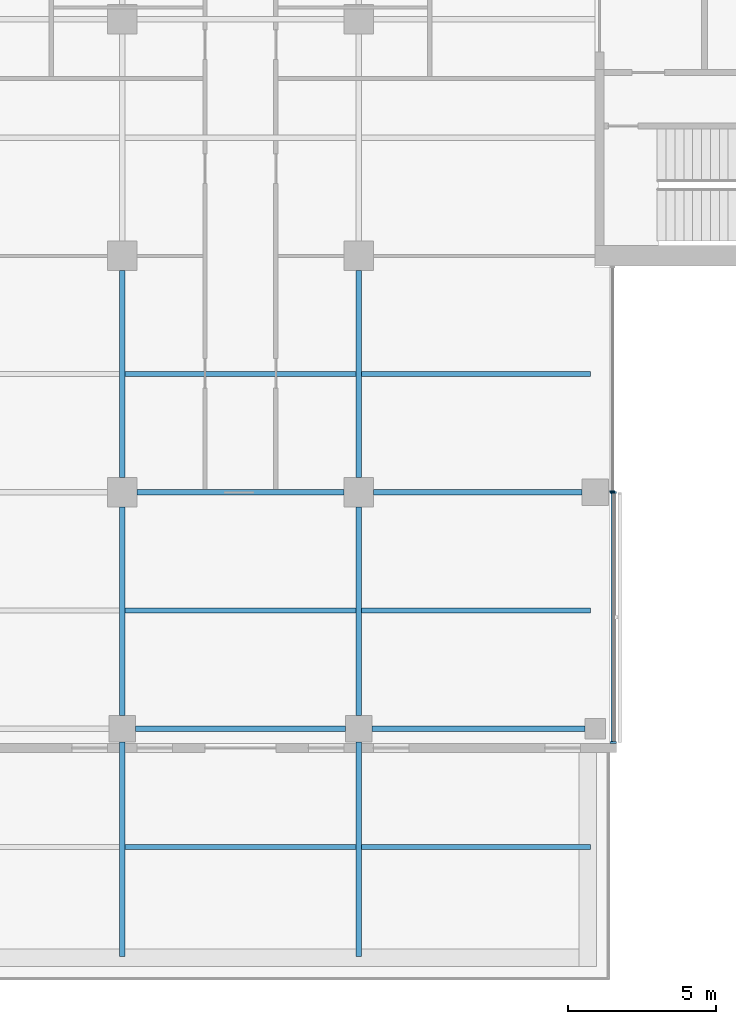
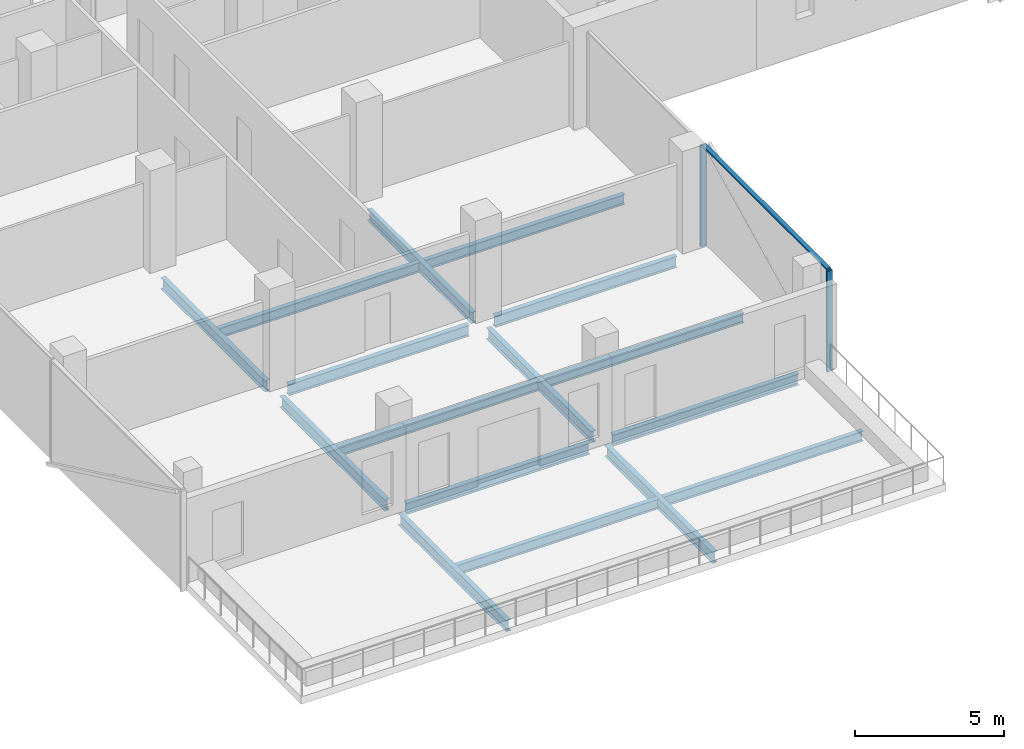
# One storey, part 5 of 24: 16 beams, 4 members, 2 elements without a shape of their own.
"""IFC4 building model written with IfcOpenShell, lengths in metres."""

from ifc_helpers import new_model, si_unit, direction, frame, origin, origin_2d, place, context, subcontext, project, spatial, rectangle, i_section, extrude, material, material_profile, profile_set, type_object, element, aggregate, save


model = new_model("IFC4")

# Units and contexts
model_context = context("Model", 3, precision=1e-05, world=origin(), true_north=direction((0.0, 1.0)))
body_context = subcontext(model_context, "Body", "Model", "MODEL_VIEW")
ifc_project = project(units=[si_unit("LENGTHUNIT", "METRE"), si_unit("AREAUNIT", "SQUARE_METRE"), si_unit("VOLUMEUNIT", "CUBIC_METRE"), si_unit("PLANEANGLEUNIT", "RADIAN"), si_unit("MASSUNIT", "GRAM", prefix="KILO")], contexts=[model_context])

# Site, building, storey
site_placement = place(None, origin())
site = spatial("IfcSite", under=ifc_project, at=site_placement, CompositionType="ELEMENT")
building_placement = place(site_placement, origin())
building = spatial("IfcBuilding", under=site, at=building_placement, Name="Crosswind Convention Tower", CompositionType="ELEMENT")
storey_placement = place(building_placement, frame((0.0, 0.0, 112.699951171875)))
storey = spatial("IfcBuildingStorey", under=building, at=storey_placement, Name="L22", CompositionType="ELEMENT", Elevation=112.699951171875)

# Beams
ifc_material_1 = material(Name="Steel S355", Category="steel")
ifc_material_profile_1 = material_profile(ifc_material_1, i_section(OverallWidth=0.19140625, OverallDepth=0.460205078125, WebThickness=0.010009765625, FlangeThickness=0.01611328125, FilletRadius=0.01025390625, at=origin_2d()), Name="UB 457x191x82")
ifc_profile_set_1 = profile_set([ifc_material_profile_1], Name="Steel S355")
beam_type_1 = type_object("IfcBeamType", Name="Girder UB 457x191x82", PredefinedType="BEAM", material=ifc_profile_set_1)
beam_1_placement = place(storey_placement, frame((121.0, 64.300048828125, -0.530029296875), z_axis=(0.0, 1.0, 0.0), x_axis=(-1.0, 0.0, 0.0)))
element("IfcBeam", 1, at=beam_1_placement, inside=storey, type_object=beam_type_1, Name="B3 L22 girder 5", PredefinedType="BEAM", context=body_context, shape_type="SweptSolid", body=[
    extrude(i_section(OverallWidth=0.19140625, OverallDepth=0.460205078125, WebThickness=0.010009765625, FlangeThickness=0.01611328125, FilletRadius=0.01025390625, at=origin_2d()), origin(), (0.0, 0.0, 1.0), 7.25),
])
beam_2_placement = place(storey_placement, frame((121.0, 72.449951171875, -0.530029296875), z_axis=(0.0, 1.0, 0.0), x_axis=(-1.0, 0.0, 0.0)))
element("IfcBeam", 2, at=beam_2_placement, inside=storey, type_object=beam_type_1, Name="B3 L22 girder 6", PredefinedType="BEAM", context=body_context, shape_type="SweptSolid", body=[
    extrude(i_section(OverallWidth=0.19140625, OverallDepth=0.460205078125, WebThickness=0.010009765625, FlangeThickness=0.01611328125, FilletRadius=0.01025390625, at=origin_2d()), origin(), (0.0, 0.0, 1.0), 7.050048828125),
])
beam_3_placement = place(storey_placement, frame((121.0, 80.5, -0.530029296875), z_axis=(0.0, 1.0, 0.0), x_axis=(-1.0, 0.0, 0.0)))
element("IfcBeam", 3, at=beam_3_placement, inside=storey, type_object=beam_type_1, Name="B3 L22 girder 7", PredefinedType="BEAM", context=body_context, shape_type="SweptSolid", body=[
    extrude(i_section(OverallWidth=0.19140625, OverallDepth=0.460205078125, WebThickness=0.010009765625, FlangeThickness=0.01611328125, FilletRadius=0.01025390625, at=origin_2d()), origin(), (0.0, 0.0, 1.0), 7.0),
])
beam_4_placement = place(storey_placement, frame((121.449951171875, 72.0, -0.530029296875), z_axis=(1.0, 0.0, 0.0), x_axis=(0.0, 1.0, 0.0)))
element("IfcBeam", 4, at=beam_4_placement, inside=storey, type_object=beam_type_1, Name="B3 L22 girder 14", PredefinedType="BEAM", context=body_context, shape_type="SweptSolid", body=[
    extrude(i_section(OverallWidth=0.19140625, OverallDepth=0.460205078125, WebThickness=0.010009765625, FlangeThickness=0.01611328125, FilletRadius=0.01025390625, at=origin_2d()), origin(), (0.0, 0.0, 1.0), 7.10009765625),
])
beam_5_placement = place(storey_placement, frame((121.5, 80.0, -0.530029296875), z_axis=(1.0, 0.0, 0.0), x_axis=(0.0, 1.0, 0.0)))
element("IfcBeam", 5, at=beam_5_placement, inside=storey, type_object=beam_type_1, Name="B3 L22 girder 16", PredefinedType="BEAM", context=body_context, shape_type="SweptSolid", body=[
    extrude(i_section(OverallWidth=0.19140625, OverallDepth=0.460205078125, WebThickness=0.010009765625, FlangeThickness=0.01611328125, FilletRadius=0.01025390625, at=origin_2d()), origin(), (0.0, 0.0, 1.0), 7.0),
])
beam_6_placement = place(storey_placement, frame((129.0, 64.300048828125, -0.530029296875), z_axis=(0.0, 1.0, 0.0), x_axis=(-1.0, 0.0, 0.0)))
element("IfcBeam", 6, at=beam_6_placement, inside=storey, type_object=beam_type_1, Name="B3 L22 girder 20", PredefinedType="BEAM", context=body_context, shape_type="SweptSolid", body=[
    extrude(i_section(OverallWidth=0.19140625, OverallDepth=0.460205078125, WebThickness=0.010009765625, FlangeThickness=0.01611328125, FilletRadius=0.01025390625, at=origin_2d()), origin(), (0.0, 0.0, 1.0), 7.25),
])
beam_7_placement = place(storey_placement, frame((129.0, 72.449951171875, -0.530029296875), z_axis=(0.0, 1.0, 0.0), x_axis=(-1.0, 0.0, 0.0)))
element("IfcBeam", 7, at=beam_7_placement, inside=storey, type_object=beam_type_1, Name="B3 L22 girder 21", PredefinedType="BEAM", context=body_context, shape_type="SweptSolid", body=[
    extrude(i_section(OverallWidth=0.19140625, OverallDepth=0.460205078125, WebThickness=0.010009765625, FlangeThickness=0.01611328125, FilletRadius=0.01025390625, at=origin_2d()), origin(), (0.0, 0.0, 1.0), 7.050048828125),
])
beam_8_placement = place(storey_placement, frame((129.0, 80.5, -0.530029296875), z_axis=(0.0, 1.0, 0.0), x_axis=(-1.0, 0.0, 0.0)))
element("IfcBeam", 8, at=beam_8_placement, inside=storey, type_object=beam_type_1, Name="B3 L22 girder 22", PredefinedType="BEAM", context=body_context, shape_type="SweptSolid", body=[
    extrude(i_section(OverallWidth=0.19140625, OverallDepth=0.460205078125, WebThickness=0.010009765625, FlangeThickness=0.01611328125, FilletRadius=0.01025390625, at=origin_2d()), origin(), (0.0, 0.0, 1.0), 7.0),
])
beam_9_placement = place(storey_placement, frame((129.449951171875, 72.0, -0.530029296875), z_axis=(1.0, 0.0, 0.0), x_axis=(0.0, 1.0, 0.0)))
element("IfcBeam", 9, at=beam_9_placement, inside=storey, type_object=beam_type_1, Name="B3 L22 girder 29", PredefinedType="BEAM", context=body_context, shape_type="SweptSolid", body=[
    extrude(i_section(OverallWidth=0.19140625, OverallDepth=0.460205078125, WebThickness=0.010009765625, FlangeThickness=0.01611328125, FilletRadius=0.01025390625, at=origin_2d()), origin(), (0.0, 0.0, 1.0), 7.199951171875),
])
beam_10_placement = place(storey_placement, frame((129.5, 80.0, -0.530029296875), z_axis=(1.0, 0.0, 0.0), x_axis=(0.0, 1.0, 0.0)))
element("IfcBeam", 10, at=beam_10_placement, inside=storey, type_object=beam_type_1, Name="B3 L22 girder 31", PredefinedType="BEAM", context=body_context, shape_type="SweptSolid", body=[
    extrude(i_section(OverallWidth=0.19140625, OverallDepth=0.460205078125, WebThickness=0.010009765625, FlangeThickness=0.01611328125, FilletRadius=0.01025390625, at=origin_2d()), origin(), (0.0, 0.0, 1.0), 7.050048828125),
])

# Curtain wall, member
ifc_material_2 = material(Name="Aluminium unitised curtain wall", Category="aluminium")
curtain_wall_type_1 = type_object("IfcCurtainWallType", Name="CORE END SLOT WALL 160", PredefinedType="USERDEFINED", material=ifc_material_2)
curtain_wall_1_placement = place(storey_placement, origin())
curtain_wall_1 = element("IfcCurtainWall", 11, at=curtain_wall_1_placement, inside=storey, type_object=curtain_wall_type_1, Name="CW6 L22 S-E.1-2 slot", ObjectType="UNITISED", PredefinedType="USERDEFINED")
ifc_material_3 = material(Name="Aluminium mullion", Category="aluminium")
ifc_material_profile_2 = material_profile(ifc_material_3, rectangle(XDim=0.159912109375, YDim=0.050048828125, at=origin_2d()), Name="AL 160X50")
ifc_profile_set_2 = profile_set([ifc_material_profile_2], Name="Aluminium mullion")
member_type_1 = type_object("IfcMemberType", Name="MULLION 50X160", PredefinedType="MULLION", material=ifc_profile_set_2)
member_1_placement = place(storey_placement, frame((137.580078125, 80.02490234375, -0.300048828125), z_axis=(0.0, 0.0, 1.0), x_axis=(1.0, 0.0, 0.0)))
member_1 = element("IfcMember", 12, at=member_1_placement, type_object=member_type_1, Name="CW6 mullion 1", PredefinedType="MULLION", context=body_context, shape_type="SweptSolid", body=[
    extrude(rectangle(XDim=0.159912109375, YDim=0.050048828125, at=origin_2d()), origin(), (0.0, 0.0, 1.0), 4.150146484375),
])
aggregate(curtain_wall_1, [member_1])

# Curtain wall, members
curtain_wall_type_2 = type_object("IfcCurtainWallType", Name="OFFICE UNITISED WALL 220", PredefinedType="USERDEFINED", material=ifc_material_2)
curtain_wall_2_placement = place(storey_placement, origin())
curtain_wall_2 = element("IfcCurtainWall", 13, at=curtain_wall_2_placement, inside=storey, type_object=curtain_wall_type_2, Name="CW3 L22 S-E 1", ObjectType="UNITISED", PredefinedType="USERDEFINED")
ifc_material_profile_3 = material_profile(ifc_material_3, rectangle(XDim=0.219970703125, YDim=0.070068359375, at=origin_2d()), Name="AL 220X70")
ifc_profile_set_3 = profile_set([ifc_material_profile_3], Name="Aluminium mullion")
member_type_2 = type_object("IfcMemberType", Name="MULLION 70X220", PredefinedType="MULLION", material=ifc_profile_set_3)
member_2_placement = place(storey_placement, frame((137.610107421875, 71.534912109375, -0.300048828125), z_axis=(0.0, 0.0, 1.0), x_axis=(1.0, 0.0, 0.0)))
member_2 = element("IfcMember", 14, at=member_2_placement, type_object=member_type_2, Name="CW3 mullion 1", PredefinedType="MULLION", context=body_context, shape_type="SweptSolid", body=[
    extrude(rectangle(XDim=0.219970703125, YDim=0.070068359375, at=origin_2d()), origin(), (0.0, 0.0, 1.0), 4.130126953125),
])
member_3_placement = place(storey_placement, frame((137.610107421875, 80.0, -0.300048828125), z_axis=(0.0, 0.0, 1.0), x_axis=(1.0, 0.0, 0.0)))
member_3 = element("IfcMember", 15, at=member_3_placement, type_object=member_type_2, Name="CW3 mullion 2", PredefinedType="MULLION", context=body_context, shape_type="SweptSolid", body=[
    extrude(rectangle(XDim=0.219970703125, YDim=0.070068359375, at=origin_2d()), origin(), (0.0, 0.0, 1.0), 4.130126953125),
])

# Beams
ifc_material_profile_4 = material_profile(ifc_material_1, i_section(OverallWidth=0.177734375, OverallDepth=0.406494140625, WebThickness=0.0078125, FlangeThickness=0.0126953125, FilletRadius=0.01025390625, at=origin_2d()), Name="UB 406x178x60")
ifc_profile_set_4 = profile_set([ifc_material_profile_4], Name="Steel S355")
beam_type_2 = type_object("IfcBeamType", Name="Secondary beam UB 406x178x60", PredefinedType="JOIST", material=ifc_profile_set_4)
for number, where, z_axis, x_axis, name in (
    (16, (121.095703125, 68.0, -0.503173828125), (1.0, 0.0, 0.0), (0.0, 1.0, 0.0), "B10 L22 secondary beam 13"),
    (17, (121.095703125, 76.0, -0.503173828125), (1.0, 0.0, 0.0), (0.0, 1.0, 0.0), "B10 L22 secondary beam 14"),
    (18, (121.095703125, 84.0, -0.503173828125), (1.0, 0.0, 0.0), (0.0, 1.0, 0.0), "B10 L22 secondary beam 15"),
):
    element("IfcBeam", number, at=place(storey_placement, frame(where, z_axis=z_axis, x_axis=x_axis)), inside=storey, type_object=beam_type_2, Name=name, PredefinedType="JOIST", context=body_context, shape_type="SweptSolid", body=[
        extrude(i_section(OverallWidth=0.177734375, OverallDepth=0.406494140625, WebThickness=0.0078125, FlangeThickness=0.0126953125, FilletRadius=0.01025390625, at=origin_2d()), origin(), (0.0, 0.0, 1.0), 7.80859375),
    ])
for number, where, z_axis, x_axis, name in (
    (19, (129.095703125, 68.0, -0.503173828125), (1.0, 0.0, 0.0), (0.0, 1.0, 0.0), "B10 L22 secondary beam 22"),
    (20, (129.095703125, 76.0, -0.503173828125), (1.0, 0.0, 0.0), (0.0, 1.0, 0.0), "B10 L22 secondary beam 23"),
    (21, (129.095703125, 84.0, -0.503173828125), (1.0, 0.0, 0.0), (0.0, 1.0, 0.0), "B10 L22 secondary beam 24"),
):
    element("IfcBeam", number, at=place(storey_placement, frame(where, z_axis=z_axis, x_axis=x_axis)), inside=storey, type_object=beam_type_2, Name=name, PredefinedType="JOIST", context=body_context, shape_type="SweptSolid", body=[
        extrude(i_section(OverallWidth=0.177734375, OverallDepth=0.406494140625, WebThickness=0.0078125, FlangeThickness=0.0126953125, FilletRadius=0.01025390625, at=origin_2d()), origin(), (0.0, 0.0, 1.0), 7.747314453125),
    ])

# Member
ifc_material_4 = material(Name="Aluminium transom", Category="aluminium")
ifc_material_profile_5 = material_profile(ifc_material_4, rectangle(XDim=0.159912109375, YDim=0.070068359375, at=origin_2d()), Name="AL 160X70")
ifc_profile_set_5 = profile_set([ifc_material_profile_5], Name="Aluminium transom")
member_type_3 = type_object("IfcMemberType", Name="TRANSOM 70X160", PredefinedType="USERDEFINED", material=ifc_profile_set_5)
member_4_placement = place(storey_placement, frame((137.610107421875, 71.570068359375, 3.864990234375), z_axis=(0.0, 1.0, 0.0), x_axis=(-1.0, 0.0, 0.0)))
member_4 = element("IfcMember", 22, at=member_4_placement, type_object=member_type_3, Name="CW3 transom", ObjectType="TRANSOM", PredefinedType="USERDEFINED", context=body_context, shape_type="SweptSolid", body=[
    extrude(rectangle(XDim=0.159912109375, YDim=0.070068359375, at=origin_2d()), origin(), (0.0, 0.0, 1.0), 8.39501953125),
])

aggregate(curtain_wall_2, [member_2, member_3, member_4])

save(model, "model.ifc")
